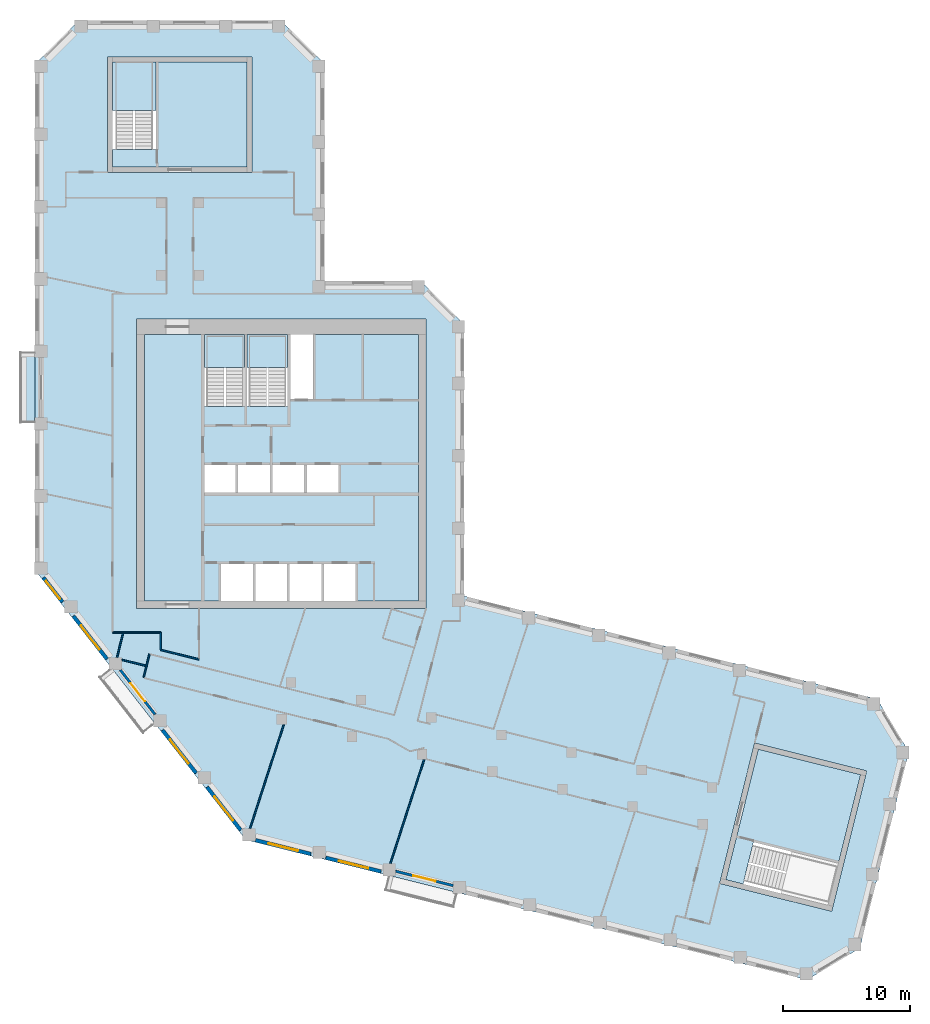
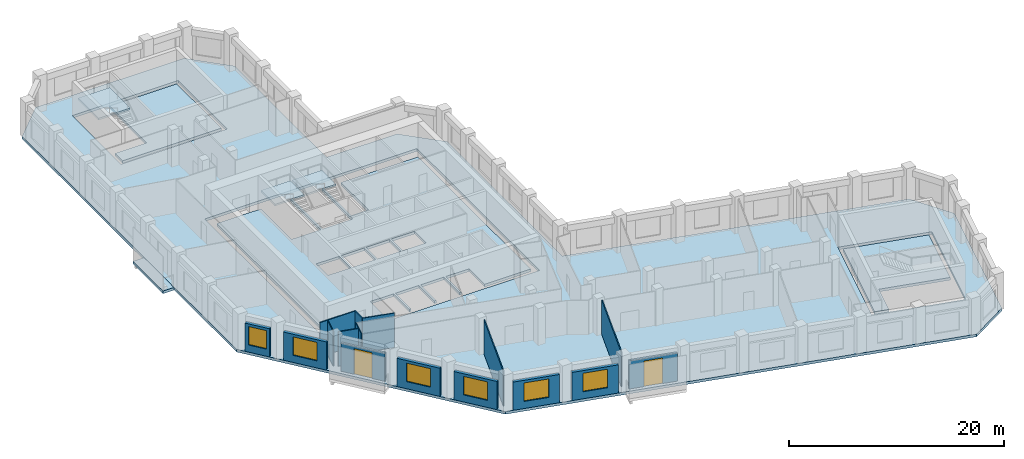
# One storey, part 2 of 9: 16 walls, 8 slabs, 6 windows, 2 doors, 8 openings, 3 elements without a shape of their own.
"""IFC4 building model written with IfcOpenShell, lengths in metres."""

from ifc_helpers import new_model, si_unit, direction, frame, frame_2d, origin, place, context, subcontext, project, spatial, polyline, rectangle, outline, extrude, material, layer, layer_set, type_object, element, fill, aggregate, save


model = new_model("IFC4")

# Units and contexts
model_context = context("Model", 3, precision=1e-05, world=origin(), true_north=direction((0.0, 1.0)))
body_context = subcontext(model_context, "Body", "Model", "MODEL_VIEW")
ifc_project = project(units=[si_unit("LENGTHUNIT", "METRE"), si_unit("AREAUNIT", "SQUARE_METRE"), si_unit("VOLUMEUNIT", "CUBIC_METRE"), si_unit("PLANEANGLEUNIT", "RADIAN"), si_unit("MASSUNIT", "GRAM", prefix="KILO")], contexts=[model_context])

# Site, building, storey
site_placement = place(None, origin())
site = spatial("IfcSite", under=ifc_project, at=site_placement, CompositionType="ELEMENT")
building_placement = place(site_placement, origin())
building = spatial("IfcBuilding", under=site, at=building_placement, Name="Meshkara Civic Tower", CompositionType="ELEMENT")
storey_placement = place(building_placement, frame((0.0, 0.0, 336.0)))
storey = spatial("IfcBuildingStorey", under=building, at=storey_placement, Name="L77", CompositionType="ELEMENT", Elevation=336.0)

# Slabs
ifc_material_1 = material(Name="Concrete C40", Category="concrete")
ifc_layer_1 = layer(ifc_material_1, 0.300048828125)
ifc_layer_set_1 = layer_set([ifc_layer_1], Name="BALCONY SLAB")
slab_type_1 = type_object("IfcSlabType", Name="BALCONY SLAB", PredefinedType="FLOOR", material=ifc_layer_set_1)
slab_1_placement = place(storey_placement, frame((0.0, 0.0, -0.300048828125)))
element("IfcSlab", 1, at=slab_1_placement, inside=storey, type_object=slab_type_1, Name="Balcony slab", PredefinedType="FLOOR", context=body_context, shape_type="SweptSolid", body=[
    extrude(outline(polyline([(-1.199951171875, 28.715087890625), (-1.199951171875, 34.294921875), (-0.050048828125, 34.294921875), (-0.050048828125, 33.85498046875), (0.0, 33.85498046875), (0.0, 29.155029296875), (-0.050048828125, 29.155029296875), (-0.050048828125, 28.715087890625), (-1.199951171875, 28.715087890625)])), origin(), (0.0, 0.0, 1.0), 0.300048828125),
])
ifc_material_2 = material(Name="Concrete C40/50", Category="concrete")
ifc_layer_2 = layer(ifc_material_2, 0.300048828125)
ifc_layer_set_2 = layer_set([ifc_layer_2], Name="Core floor slab 300 C40/50")
slab_type_2 = type_object("IfcSlabType", Name="Core floor slab 300 C40/50", PredefinedType="FLOOR", material=ifc_layer_set_2)
slab_2_placement = place(storey_placement, frame((0.0, 0.0, -0.300048828125)))
element("IfcSlab", 2, at=slab_2_placement, inside=storey, type_object=slab_type_2, Name="Core floor K", PredefinedType="FLOOR", context=body_context, shape_type="SweptSolid", body=[
    extrude(outline(polyline([(8.60009765625, 35.699951171875), (13.35009765625, 35.699951171875), (13.35009765625, 30.00146484375), (16.5, 30.00146484375), (16.5, 35.699951171875), (16.699951171875, 35.699951171875), (16.699951171875, 30.00146484375), (19.89990234375, 30.00146484375), (19.89990234375, 35.699951171875), (20.10009765625, 35.699951171875), (20.10009765625, 30.574951171875), (21.925048828125, 30.574951171875), (21.925048828125, 35.699951171875), (30.199951171875, 35.699951171875), (30.199951171875, 14.699951171875), (25.25, 14.699951171875), (25.25, 17.60009765625), (22.75, 17.60009765625), (22.75, 14.699951171875), (22.550048828125, 14.699951171875), (22.550048828125, 17.60009765625), (20.050048828125, 17.60009765625), (20.050048828125, 14.699951171875), (19.85009765625, 14.699951171875), (19.85009765625, 17.60009765625), (17.35009765625, 17.60009765625), (17.35009765625, 14.699951171875), (17.14990234375, 14.699951171875), (17.14990234375, 17.60009765625), (14.64990234375, 17.60009765625), (14.64990234375, 14.699951171875), (8.60009765625, 14.699951171875), (8.60009765625, 35.699951171875)]), holes=[polyline([(13.35009765625, 23.25), (15.800048828125, 23.25), (15.800048828125, 25.39990234375), (13.35009765625, 25.39990234375), (13.35009765625, 23.25)]), polyline([(18.5, 23.25), (18.5, 25.39990234375), (16.0, 25.39990234375), (16.0, 23.25), (18.5, 23.25)]), polyline([(18.699951171875, 23.25), (21.199951171875, 23.25), (21.199951171875, 25.39990234375), (18.699951171875, 25.39990234375), (18.699951171875, 23.25)]), polyline([(23.89990234375, 23.25), (23.89990234375, 25.39990234375), (21.39990234375, 25.39990234375), (21.39990234375, 23.25), (23.89990234375, 23.25)])]), origin(), (0.0, 0.0, 1.0), 0.300048828125),
])
slab_3_placement = place(storey_placement, frame((0.0, 0.0, -0.300048828125)))
element("IfcSlab", 3, at=slab_3_placement, inside=storey, type_object=slab_type_2, Name="Core floor EA", PredefinedType="FLOOR", context=body_context, shape_type="SweptSolid", body=[
    extrude(outline(polyline([(16.699951171875, 48.8701171875), (16.699951171875, 57.169921875), (9.5, 57.169921875), (9.5, 50.271484375), (6.10009765625, 50.271484375), (6.10009765625, 48.8701171875), (16.699951171875, 48.8701171875)])), origin(), (0.0, 0.0, 1.0), 0.300048828125),
])
slab_4_placement = place(storey_placement, frame((0.0, 0.0, -0.300048828125)))
element("IfcSlab", 4, at=slab_4_placement, inside=storey, type_object=slab_type_2, Name="Core floor EB", PredefinedType="FLOOR", context=body_context, shape_type="SweptSolid", body=[
    extrude(outline(polyline([(56.989013671875, 3.002197265625), (65.04248046875, 0.994384765625), (63.30078125, -5.99169921875), (56.607177734375, -4.322998046875), (55.78466796875, -7.621826171875), (54.4248046875, -7.282958984375), (56.989013671875, 3.002197265625)])), origin(), (0.0, 0.0, 1.0), 0.300048828125),
])

# Stair, slab
ifc_material_3 = material(Name="Precast concrete C40/50", Category="concrete")
stair_type = type_object("IfcStairType", Name="Exit stair half-turn 24 risers precast", PredefinedType="HALF_TURN_STAIR", material=ifc_material_3)
stair_1_placement = place(storey_placement, origin())
stair_1 = element("IfcStair", 5, at=stair_1_placement, inside=storey, type_object=stair_type, Name="L77 exit stair 1", PredefinedType="HALF_TURN_STAIR")
ifc_material_4 = material(Name="Precast concrete C40/50", Category="concrete")
ifc_layer_3 = layer(ifc_material_4, 0.199951171875)
ifc_layer_set_3 = layer_set([ifc_layer_3], Name="Exit stair landing 200")
slab_type_3 = type_object("IfcSlabType", Name="Exit stair landing 200", PredefinedType="LANDING", material=ifc_layer_set_3)
slab_5_placement = place(storey_placement, frame((0.0, 0.0, 1.89990234375)))
slab_5 = element("IfcSlab", 6, at=slab_5_placement, type_object=slab_type_3, Name="ST1 landing 1", PredefinedType="LANDING", context=body_context, shape_type="SweptSolid", body=[
    extrude(outline(polyline([(16.5, 33.07861328125), (16.5, 35.699951171875), (13.35009765625, 35.699951171875), (13.35009765625, 33.07861328125), (16.5, 33.07861328125)])), origin(), (0.0, 0.0, 1.0), 0.2001953125),
])
aggregate(stair_1, [slab_5])

stair_2_placement = place(storey_placement, origin())
stair_2 = element("IfcStair", 7, at=stair_2_placement, inside=storey, type_object=stair_type, Name="L77 exit stair 2", PredefinedType="HALF_TURN_STAIR")
slab_6_placement = place(storey_placement, frame((0.0, 0.0, 1.89990234375)))
slab_6 = element("IfcSlab", 8, at=slab_6_placement, type_object=slab_type_3, Name="ST2 landing 1", PredefinedType="LANDING", context=body_context, shape_type="SweptSolid", body=[
    extrude(outline(polyline([(19.89990234375, 33.07861328125), (19.89990234375, 35.699951171875), (16.699951171875, 35.699951171875), (16.699951171875, 33.07861328125), (19.89990234375, 33.07861328125)])), origin(), (0.0, 0.0, 1.0), 0.2001953125),
])
aggregate(stair_2, [slab_6])

stair_3_placement = place(storey_placement, origin())
stair_3 = element("IfcStair", 9, at=stair_3_placement, inside=storey, type_object=stair_type, Name="L77 exit stair A from L65", PredefinedType="HALF_TURN_STAIR")
slab_7_placement = place(storey_placement, frame((0.0, 0.0, 1.89990234375)))
slab_7 = element("IfcSlab", 10, at=slab_7_placement, type_object=slab_type_3, Name="ESA5 landing 1", PredefinedType="LANDING", context=body_context, shape_type="SweptSolid", body=[
    extrude(outline(polyline([(9.5, 53.348388671875), (9.5, 57.169921875), (6.10009765625, 57.169921875), (6.10009765625, 53.348388671875), (9.5, 53.348388671875)])), origin(), (0.0, 0.0, 1.0), 0.2001953125),
])
aggregate(stair_3, [slab_7])

# Slab
ifc_material_5 = material(Name="Concrete C50", Category="concrete")
ifc_layer_4 = layer(ifc_material_5, 0.300048828125)
ifc_layer_set_4 = layer_set([ifc_layer_4], Name="Post-tensioned flat slab 300 C50")
slab_type_4 = type_object("IfcSlabType", Name="Post-tensioned flat slab 300 C50", PredefinedType="FLOOR", material=ifc_layer_set_4)
slab_8_placement = place(storey_placement, frame((0.0, 0.0, -0.300048828125)))
element("IfcSlab", 11, at=slab_8_placement, inside=storey, type_object=slab_type_4, Name="Post-tensioned flat slab L77", PredefinedType="FLOOR", context=body_context, shape_type="SweptSolid", body=[
    extrude(outline(polyline([(64.98291015625, -12.677001953125), (60.837890625, -15.1689453125), (16.592041015625, -4.136962890625), (0.0, 17.10009765625), (0.0, 57.0), (3.419921875, 60.419921875), (19.3798828125, 60.419921875), (22.800048828125, 57.0), (22.800048828125, 39.89990234375), (30.3798828125, 39.89990234375), (33.800048828125, 36.47998046875), (33.800048828125, 15.071044921875), (66.35302734375, 6.9541015625), (68.843994140625, 2.80810546875), (64.98291015625, -12.677001953125)]), holes=[polyline([(62.77001953125, -9.77587890625), (65.527099609375, 1.285888671875), (56.697998046875, 3.487060546875), (53.93994140625, -7.573974609375), (62.77001953125, -9.77587890625)]), polyline([(8.0, 14.10009765625), (30.800048828125, 14.10009765625), (30.800048828125, 36.89990234375), (8.0, 36.89990234375), (8.0, 14.10009765625)]), polyline([(5.699951171875, 57.570068359375), (5.699951171875, 48.469970703125), (17.10009765625, 48.469970703125), (17.10009765625, 57.570068359375), (5.699951171875, 57.570068359375)])]), origin(), (0.0, 0.0, 1.0), 0.300048828125),
])

# Walls
ifc_material_6 = material(Name="Corridor wall 100")
ifc_layer_5 = layer(ifc_material_6, 0.10009765625)
ifc_layer_set_5 = layer_set([ifc_layer_5], Name="Corridor wall 100")
wall_type_1 = type_object("IfcWallType", Name="Corridor wall 100", PredefinedType="PARTITIONING", material=ifc_layer_set_5)
wall_1_placement = place(storey_placement, frame((6.10009765625, 12.199951171875, 0.0), z_axis=(0.0, 0.0, 1.0), x_axis=(1.0, 0.0, 0.0)))
element("IfcWall", 12, at=wall_1_placement, inside=storey, type_object=wall_type_1, Name="L77-W005", PredefinedType="PARTITIONING", context=body_context, shape_type="SweptSolid", body=[
    extrude(rectangle(XDim=3.7998046875, YDim=0.10009765625, at=frame_2d((1.89990234375, 0.0))), origin(), (0.0, 0.0, 1.0), 3.89990234375),
])
wall_2_placement = place(storey_placement, frame((9.001953125, 10.4990234375, 0.0), z_axis=(0.0, 0.0, 1.0), x_axis=(-0.241709519716, -0.970348652845, 0.0)))
element("IfcWall", 13, at=wall_2_placement, inside=storey, type_object=wall_type_1, Name="L77-W008", PredefinedType="PARTITIONING", context=body_context, shape_type="SweptSolid", body=[
    extrude(rectangle(XDim=1.877685546875, YDim=0.10009765625, at=frame_2d((0.93896484375, 0.0))), origin(), (0.0, 0.0, 1.0), 3.89990234375),
])
wall_3_placement = place(storey_placement, frame((9.89990234375, 10.825927734375, 0.0), z_axis=(0.0, 0.0, 1.0), x_axis=(0.970290953223, -0.241941038466, 0.0)))
element("IfcWall", 14, at=wall_3_placement, inside=storey, type_object=wall_type_1, Name="L77-W009", PredefinedType="PARTITIONING", context=body_context, shape_type="SweptSolid", body=[
    extrude(rectangle(XDim=3.091796875, YDim=0.10009765625, at=frame_2d((1.5458984375, 0.0))), origin(), (0.0, 0.0, 1.0), 3.89990234375),
])
wall_4_placement = place(storey_placement, frame((9.89990234375, 12.199951171875, 0.0), z_axis=(0.0, 0.0, 1.0), x_axis=(0.0, -1.0, 0.0)))
element("IfcWall", 15, at=wall_4_placement, inside=storey, type_object=wall_type_1, Name="L77-W010", PredefinedType="PARTITIONING", context=body_context, shape_type="SweptSolid", body=[
    extrude(rectangle(XDim=1.3740234375, YDim=0.10009765625, at=frame_2d((0.68701171875, 0.0))), origin(), (0.0, 0.0, 1.0), 3.89990234375),
])

# Wall, opening, window
ifc_material_7 = material(Name="Insulated infill panel with bronze anodised aluminium cladding", Category="aluminium")
ifc_layer_6 = layer(ifc_material_7, 0.300048828125)
ifc_layer_set_6 = layer_set([ifc_layer_6], Name="EXTERNAL INFILL WALL 300")
wall_type_2 = type_object("IfcWallType", Name="EXTERNAL INFILL WALL 300", PredefinedType="SOLIDWALL", material=ifc_layer_set_6)
wall_5_placement = place(storey_placement, frame((0.64599609375, 16.51708984375, 0.0), z_axis=(0.0, 0.0, 1.0), x_axis=(0.615610986717, -0.788050197026, 0.0)))
wall_5 = element("IfcWall", 16, at=wall_5_placement, inside=storey, type_object=wall_type_2, Name="External wall", PredefinedType="SOLIDWALL", context=body_context, shape_type="SweptSolid", body=[
    extrude(rectangle(XDim=2.4365234375, YDim=0.300048828125, at=frame_2d((1.21826171875, 0.0))), origin(), (0.0, 0.0, 1.0), 3.199951171875),
])
opening_1_placement = place(wall_5_placement, frame((0.318115234375, 0.0, 0.800048828125)))
opening_1 = element("IfcOpeningElement", 17, at=opening_1_placement, cuts=wall_5, Name="Opening W9", PredefinedType="OPENING", context=body_context, shape_type="SweptSolid", body=[
    extrude(rectangle(XDim=1.800048828125, YDim=2.10009765625, at=frame_2d((0.89990234375, 1.050048828125))), frame((0.0, 0.159912109375, 0.0), z_axis=(0.0, -1.0, 0.0), x_axis=(1.0, 0.0, 0.0)), (0.0, 0.0, 1.0), 0.320068359375),
])
ifc_material_8 = material(Name="Tinted double glazing", Category="glass")
window_type_1 = type_object("IfcWindowType", Name="WINDOW 1800x2100", PartitioningType="DOUBLE_PANEL_VERTICAL", PredefinedType="WINDOW", material=ifc_material_8)
window_1_placement = place(opening_1_placement, origin())
window_1 = element("IfcWindow", 18, at=window_1_placement, inside=storey, type_object=window_type_1, Name="Window", OverallHeight=2.10009765625, OverallWidth=1.800048828125, PartitioningType="DOUBLE_PANEL_VERTICAL", PredefinedType="WINDOW", context=body_context, shape_type="SweptSolid", body=[
    extrude(rectangle(XDim=1.800048828125, YDim=2.10009765625, at=frame_2d((0.89990234375, 1.050048828125))), frame((0.0, 0.030029296875, 0.0), z_axis=(0.0, -1.0, 0.0), x_axis=(1.0, 0.0, 0.0)), (0.0, 0.0, 1.0), 0.06005859375),
])
fill(opening_1, window_1)

wall_6_placement = place(storey_placement, frame((3.010009765625, 13.490966796875, 0.0), z_axis=(0.0, 0.0, 1.0), x_axis=(0.615713519567, -0.787970089421, 0.0)))
wall_6 = element("IfcWall", 19, at=wall_6_placement, inside=storey, type_object=wall_type_2, Name="External wall", PredefinedType="SOLIDWALL", context=body_context, shape_type="SweptSolid", body=[
    extrude(rectangle(XDim=4.2958984375, YDim=0.300048828125, at=frame_2d((2.14794921875, 0.0))), origin(), (0.0, 0.0, 1.0), 3.199951171875),
])
opening_2_placement = place(wall_6_placement, frame((0.947998046875, 0.0, 0.800048828125)))
opening_2 = element("IfcOpeningElement", 20, at=opening_2_placement, cuts=wall_6, Name="Opening W7", PredefinedType="OPENING", context=body_context, shape_type="SweptSolid", body=[
    extrude(rectangle(XDim=2.39990234375, YDim=2.10009765625, at=frame_2d((1.199951171875, 1.050048828125))), frame((0.0, 0.159912109375, 0.0), z_axis=(0.0, -1.0, 0.0), x_axis=(1.0, 0.0, 0.0)), (0.0, 0.0, 1.0), 0.320068359375),
])
ifc_material_9 = material(Name="Tinted double glazing", Category="glass")
window_type_2 = type_object("IfcWindowType", Name="WINDOW 2400x2100", PartitioningType="DOUBLE_PANEL_VERTICAL", PredefinedType="WINDOW", material=ifc_material_9)
window_2_placement = place(opening_2_placement, origin())
window_2 = element("IfcWindow", 21, at=window_2_placement, inside=storey, type_object=window_type_2, Name="Window", OverallHeight=2.10009765625, OverallWidth=2.39990234375, PartitioningType="DOUBLE_PANEL_VERTICAL", PredefinedType="WINDOW", context=body_context, shape_type="SweptSolid", body=[
    extrude(rectangle(XDim=2.39990234375, YDim=2.10009765625, at=frame_2d((1.199951171875, 1.050048828125))), frame((0.0, 0.030029296875, 0.0), z_axis=(0.0, -1.0, 0.0), x_axis=(1.0, 0.0, 0.0)), (0.0, 0.0, 1.0), 0.06005859375),
])
fill(opening_2, window_2)

wall_7_placement = place(storey_placement, frame((10.029052734375, 4.507080078125, 0.0), z_axis=(0.0, 0.0, 1.0), x_axis=(0.615572343689, -0.788080382756, 0.0)))
wall_7 = element("IfcWall", 22, at=wall_7_placement, inside=storey, type_object=wall_type_2, Name="External wall", PredefinedType="SOLIDWALL", context=body_context, shape_type="SweptSolid", body=[
    extrude(rectangle(XDim=4.295166015625, YDim=0.300048828125, at=frame_2d((2.1474609375, 0.0))), origin(), (0.0, 0.0, 1.0), 3.199951171875),
])
opening_3_placement = place(wall_7_placement, frame((0.947998046875, 0.0, 0.800048828125)))
opening_3 = element("IfcOpeningElement", 23, at=opening_3_placement, cuts=wall_7, Name="Opening W7", PredefinedType="OPENING", context=body_context, shape_type="SweptSolid", body=[
    extrude(rectangle(XDim=2.39990234375, YDim=2.10009765625, at=frame_2d((1.199951171875, 1.050048828125))), frame((0.0, 0.159912109375, 0.0), z_axis=(0.0, -1.0, 0.0), x_axis=(1.0, 0.0, 0.0)), (0.0, 0.0, 1.0), 0.320068359375),
])
window_3_placement = place(opening_3_placement, origin())
window_3 = element("IfcWindow", 24, at=window_3_placement, inside=storey, type_object=window_type_2, Name="Window", OverallHeight=2.10009765625, OverallWidth=2.39990234375, PartitioningType="DOUBLE_PANEL_VERTICAL", PredefinedType="WINDOW", context=body_context, shape_type="SweptSolid", body=[
    extrude(rectangle(XDim=2.39990234375, YDim=2.10009765625, at=frame_2d((1.199951171875, 1.050048828125))), frame((0.0, 0.030029296875, 0.0), z_axis=(0.0, -1.0, 0.0), x_axis=(1.0, 0.0, 0.0)), (0.0, 0.0, 1.0), 0.06005859375),
])
fill(opening_3, window_3)

wall_8_placement = place(storey_placement, frame((13.5380859375, 0.01611328125, 0.0), z_axis=(0.0, 0.0, 1.0), x_axis=(0.615713519567, -0.787970089421, 0.0)))
wall_8 = element("IfcWall", 25, at=wall_8_placement, inside=storey, type_object=wall_type_2, Name="External wall", PredefinedType="SOLIDWALL", context=body_context, shape_type="SweptSolid", body=[
    extrude(rectangle(XDim=4.2958984375, YDim=0.300048828125, at=frame_2d((2.14794921875, 0.0))), origin(), (0.0, 0.0, 1.0), 3.199951171875),
])
opening_4_placement = place(wall_8_placement, frame((0.947998046875, 0.0, 0.800048828125)))
opening_4 = element("IfcOpeningElement", 26, at=opening_4_placement, cuts=wall_8, Name="Opening W7", PredefinedType="OPENING", context=body_context, shape_type="SweptSolid", body=[
    extrude(rectangle(XDim=2.39990234375, YDim=2.10009765625, at=frame_2d((1.199951171875, 1.050048828125))), frame((0.0, 0.159912109375, 0.0), z_axis=(0.0, -1.0, 0.0), x_axis=(1.0, 0.0, 0.0)), (0.0, 0.0, 1.0), 0.320068359375),
])
window_4_placement = place(opening_4_placement, origin())
window_4 = element("IfcWindow", 27, at=window_4_placement, inside=storey, type_object=window_type_2, Name="Window", OverallHeight=2.10009765625, OverallWidth=2.39990234375, PartitioningType="DOUBLE_PANEL_VERTICAL", PredefinedType="WINDOW", context=body_context, shape_type="SweptSolid", body=[
    extrude(rectangle(XDim=2.39990234375, YDim=2.10009765625, at=frame_2d((1.199951171875, 1.050048828125))), frame((0.0, 0.030029296875, 0.0), z_axis=(0.0, -1.0, 0.0), x_axis=(1.0, 0.0, 0.0)), (0.0, 0.0, 1.0), 0.06005859375),
])
fill(opening_4, window_4)

wall_9_placement = place(storey_placement, frame((17.366943359375, -4.176025390625, 0.0), z_axis=(0.0, 0.0, 1.0), x_axis=(0.970327846266, -0.241793032904, 0.0)))
wall_9 = element("IfcWall", 28, at=wall_9_placement, inside=storey, type_object=wall_type_2, Name="External wall", PredefinedType="SOLIDWALL", context=body_context, shape_type="SweptSolid", body=[
    extrude(rectangle(XDim=4.487060546875, YDim=0.300048828125, at=frame_2d((2.24365234375, 0.0))), origin(), (0.0, 0.0, 1.0), 3.199951171875),
])
opening_5_placement = place(wall_9_placement, frame((1.0439453125, 0.0, 0.800048828125)))
opening_5 = element("IfcOpeningElement", 29, at=opening_5_placement, cuts=wall_9, Name="Opening W7", PredefinedType="OPENING", context=body_context, shape_type="SweptSolid", body=[
    extrude(rectangle(XDim=2.39990234375, YDim=2.10009765625, at=frame_2d((1.199951171875, 1.050048828125))), frame((0.0, 0.159912109375, 0.0), z_axis=(0.0, -1.0, 0.0), x_axis=(1.0, 0.0, 0.0)), (0.0, 0.0, 1.0), 0.320068359375),
])
window_5_placement = place(opening_5_placement, origin())
window_5 = element("IfcWindow", 30, at=window_5_placement, inside=storey, type_object=window_type_2, Name="Window", OverallHeight=2.10009765625, OverallWidth=2.39990234375, PartitioningType="DOUBLE_PANEL_VERTICAL", PredefinedType="WINDOW", context=body_context, shape_type="SweptSolid", body=[
    extrude(rectangle(XDim=2.39990234375, YDim=2.10009765625, at=frame_2d((1.199951171875, 1.050048828125))), frame((0.0, 0.030029296875, 0.0), z_axis=(0.0, -1.0, 0.0), x_axis=(1.0, 0.0, 0.0)), (0.0, 0.0, 1.0), 0.06005859375),
])
fill(opening_5, window_5)

wall_10_placement = place(storey_placement, frame((22.89794921875, -5.554931640625, 0.0), z_axis=(0.0, 0.0, 1.0), x_axis=(0.970315118421, -0.24184410467, 0.0)))
wall_10 = element("IfcWall", 31, at=wall_10_placement, inside=storey, type_object=wall_type_2, Name="External wall", PredefinedType="SOLIDWALL", context=body_context, shape_type="SweptSolid", body=[
    extrude(rectangle(XDim=4.486083984375, YDim=0.300048828125, at=frame_2d((2.2431640625, 0.0))), origin(), (0.0, 0.0, 1.0), 3.199951171875),
])
opening_6_placement = place(wall_10_placement, frame((1.0439453125, 0.0, 0.800048828125)))
opening_6 = element("IfcOpeningElement", 32, at=opening_6_placement, cuts=wall_10, Name="Opening W7", PredefinedType="OPENING", context=body_context, shape_type="SweptSolid", body=[
    extrude(rectangle(XDim=2.39990234375, YDim=2.10009765625, at=frame_2d((1.199951171875, 1.050048828125))), frame((0.0, 0.159912109375, 0.0), z_axis=(0.0, -1.0, 0.0), x_axis=(1.0, 0.0, 0.0)), (0.0, 0.0, 1.0), 0.320068359375),
])
window_6_placement = place(opening_6_placement, origin())
window_6 = element("IfcWindow", 33, at=window_6_placement, inside=storey, type_object=window_type_2, Name="Window", OverallHeight=2.10009765625, OverallWidth=2.39990234375, PartitioningType="DOUBLE_PANEL_VERTICAL", PredefinedType="WINDOW", context=body_context, shape_type="SweptSolid", body=[
    extrude(rectangle(XDim=2.39990234375, YDim=2.10009765625, at=frame_2d((1.199951171875, 1.050048828125))), frame((0.0, 0.030029296875, 0.0), z_axis=(0.0, -1.0, 0.0), x_axis=(1.0, 0.0, 0.0)), (0.0, 0.0, 1.0), 0.06005859375),
])
fill(opening_6, window_6)

# Wall, opening, door
ifc_material_10 = material(Name="Insulated infill panel with bronze anodised aluminium cladding", Category="aluminium")
ifc_layer_7 = layer(ifc_material_10, 0.199951171875)
ifc_layer_set_7 = layer_set([ifc_layer_7], Name="LOGGIA BACK WALL 200")
wall_type_3 = type_object("IfcWallType", Name="LOGGIA BACK WALL 200", PredefinedType="SOLIDWALL", material=ifc_layer_set_7)
wall_11_placement = place(storey_placement, frame((6.715087890625, 9.237060546875, 0.0), z_axis=(0.0, 0.0, 1.0), x_axis=(0.615465445194, -0.788163869873, 0.0)))
wall_11 = element("IfcWall", 34, at=wall_11_placement, inside=storey, type_object=wall_type_3, Name="Loggia wall", PredefinedType="SOLIDWALL", context=body_context, shape_type="SweptSolid", body=[
    extrude(rectangle(XDim=4.430419921875, YDim=0.199951171875, at=frame_2d((2.21533203125, 0.0))), origin(), (0.0, 0.0, 1.0), 3.199951171875),
])
opening_7_placement = place(wall_11_placement, frame((1.31494140625, 0.0, 0.0)))
opening_7 = element("IfcOpeningElement", 35, at=opening_7_placement, cuts=wall_11, Name="Opening L77-L002", PredefinedType="OPENING", context=body_context, shape_type="SweptSolid", body=[
    extrude(rectangle(XDim=1.800048828125, YDim=2.89990234375, at=frame_2d((0.89990234375, 1.449951171875))), frame((0.0, 0.10986328125, 0.0), z_axis=(0.0, -1.0, 0.0), x_axis=(1.0, 0.0, 0.0)), (0.0, 0.0, 1.0), 0.219970703125),
])
ifc_material_11 = material(Name="Tinted double glazing", Category="glass")
door_type = type_object("IfcDoorType", Name="LOGGIA DOOR 1800x2900", OperationType="DOUBLE_DOOR_SINGLE_SWING", PredefinedType="DOOR", material=ifc_material_11)
door_1_placement = place(opening_7_placement, origin())
door_1 = element("IfcDoor", 36, at=door_1_placement, inside=storey, type_object=door_type, Name="L77-L002", OperationType="DOUBLE_DOOR_SINGLE_SWING", OverallHeight=2.89990234375, OverallWidth=1.800048828125, PredefinedType="DOOR", context=body_context, shape_type="SweptSolid", body=[
    extrude(rectangle(XDim=1.800048828125, YDim=2.89990234375, at=frame_2d((0.89990234375, 1.449951171875))), frame((0.0, 0.02490234375, 0.0), z_axis=(0.0, -1.0, 0.0), x_axis=(1.0, 0.0, 0.0)), (0.0, 0.0, 1.0), 0.050048828125),
])
fill(opening_7, door_1)

wall_12_placement = place(storey_placement, frame((28.412109375, -6.6201171875, 0.0), z_axis=(0.0, 0.0, 1.0), x_axis=(0.970286870015, -0.241957413354, 0.0)))
wall_12 = element("IfcWall", 37, at=wall_12_placement, inside=storey, type_object=wall_type_3, Name="Loggia wall", PredefinedType="SOLIDWALL", context=body_context, shape_type="SweptSolid", body=[
    extrude(rectangle(XDim=4.669677734375, YDim=0.199951171875, at=frame_2d((2.3349609375, 0.0))), origin(), (0.0, 0.0, 1.0), 3.199951171875),
])
opening_8_placement = place(wall_12_placement, frame((1.43408203125, 0.0, 0.0)))
opening_8 = element("IfcOpeningElement", 38, at=opening_8_placement, cuts=wall_12, Name="Opening L77-L003", PredefinedType="OPENING", context=body_context, shape_type="SweptSolid", body=[
    extrude(rectangle(XDim=1.800048828125, YDim=2.89990234375, at=frame_2d((0.89990234375, 1.449951171875))), frame((0.0, 0.10986328125, 0.0), z_axis=(0.0, -1.0, 0.0), x_axis=(1.0, 0.0, 0.0)), (0.0, 0.0, 1.0), 0.219970703125),
])
door_2_placement = place(opening_8_placement, origin())
door_2 = element("IfcDoor", 39, at=door_2_placement, inside=storey, type_object=door_type, Name="L77-L003", OperationType="DOUBLE_DOOR_SINGLE_SWING", OverallHeight=2.89990234375, OverallWidth=1.800048828125, PredefinedType="DOOR", context=body_context, shape_type="SweptSolid", body=[
    extrude(rectangle(XDim=1.800048828125, YDim=2.89990234375, at=frame_2d((0.89990234375, 1.449951171875))), frame((0.0, 0.02490234375, 0.0), z_axis=(0.0, -1.0, 0.0), x_axis=(1.0, 0.0, 0.0)), (0.0, 0.0, 1.0), 0.050048828125),
])
fill(opening_8, door_2)

# Walls
ifc_material_12 = material(Name="Partition 100")
ifc_layer_8 = layer(ifc_material_12, 0.10009765625)
ifc_layer_set_8 = layer_set([ifc_layer_8], Name="Partition 100")
wall_type_4 = type_object("IfcWallType", Name="Partition 100", PredefinedType="PARTITIONING", material=ifc_layer_set_8)
wall_13_placement = place(storey_placement, frame((6.922119140625, 12.137939453125, 0.0), z_axis=(0.0, 0.0, 1.0), x_axis=(-0.242476987996, -0.970157157523, 0.0)))
element("IfcWall", 40, at=wall_13_placement, inside=storey, type_object=wall_type_4, Name="L77-W045", PredefinedType="PARTITIONING", context=body_context, shape_type="SweptSolid", body=[
    extrude(rectangle(XDim=1.95947265625, YDim=0.10009765625, at=frame_2d((0.979736328125, 0.0))), origin(), (0.0, 0.0, 1.0), 3.89990234375),
])
wall_14_placement = place(storey_placement, frame((8.719970703125, 9.574951171875, 0.0), z_axis=(0.0, 0.0, 1.0), x_axis=(-0.970274576003, 0.242006708918, 0.0)))
element("IfcWall", 41, at=wall_14_placement, inside=storey, type_object=wall_type_4, Name="L77-W047", PredefinedType="PARTITIONING", context=body_context, shape_type="SweptSolid", body=[
    extrude(rectangle(XDim=1.955078125, YDim=0.10009765625, at=frame_2d((0.9775390625, 0.0))), origin(), (0.0, 0.0, 1.0), 3.89990234375),
])
for number, where, z_axis, x_axis, name in (
    (42, (16.929931640625, -3.238037109375, 0.0), (0.0, 0.0, 1.0), (0.308953497737, 0.95107714526, 0.0), "L77-W048"),
    (43, (27.990966796875, -5.99609375, 0.0), (0.0, 0.0, 1.0), (0.308953497737, 0.95107714526, 0.0), "L77-W053"),
):
    element("IfcWall", number, at=place(storey_placement, frame(where, z_axis=z_axis, x_axis=x_axis)), inside=storey, type_object=wall_type_4, Name=name, PredefinedType="PARTITIONING", context=body_context, shape_type="SweptSolid", body=[
        extrude(rectangle(XDim=8.61962890625, YDim=0.10009765625, at=frame_2d((4.309814453125, 0.0))), origin(), (0.0, 0.0, 1.0), 3.89990234375),
    ])

save(model, "model.ifc")
